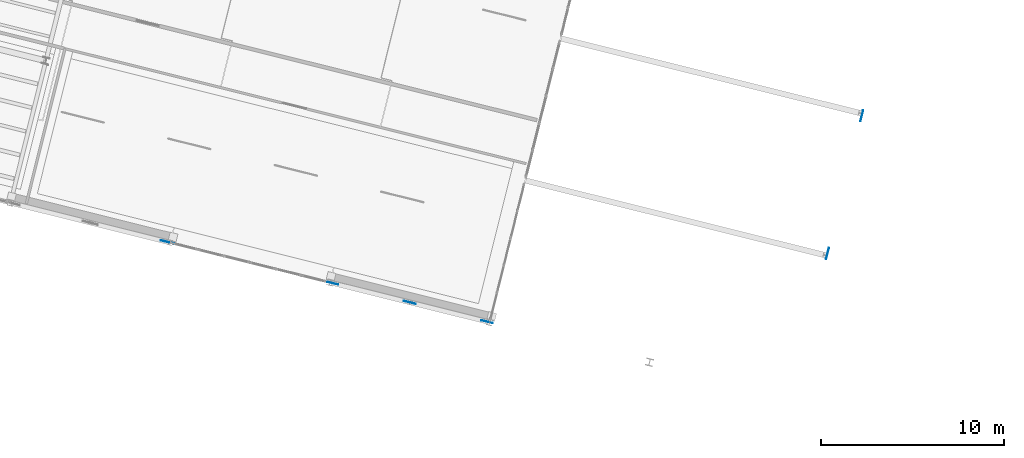
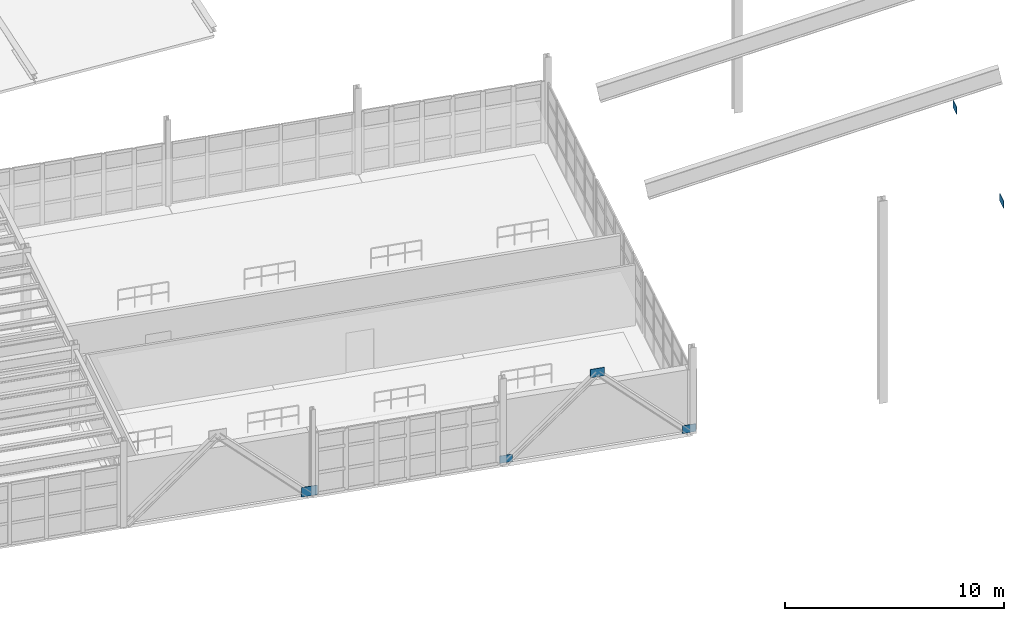
# One storey, part 42 of 59: 6 plates.
"""IFC4 building model written with IfcOpenShell, lengths in metres."""

from ifc_helpers import new_model, si_unit, direction, frame, origin, origin_2d, place, context, subcontext, project, spatial, rectangle, extrude, material, layer, layer_set, type_object, element, save


model = new_model("IFC4")

# Units and contexts
model_context = context("Model", 3, precision=1e-05, world=origin(), true_north=direction((0.0, 1.0)))
body_context = subcontext(model_context, "Body", "Model", "MODEL_VIEW")
ifc_project = project(units=[si_unit("LENGTHUNIT", "METRE"), si_unit("AREAUNIT", "SQUARE_METRE"), si_unit("VOLUMEUNIT", "CUBIC_METRE"), si_unit("PLANEANGLEUNIT", "RADIAN"), si_unit("MASSUNIT", "GRAM", prefix="KILO")], contexts=[model_context])

# Site, building, storey
site_placement = place(None, origin())
site = spatial("IfcSite", under=ifc_project, at=site_placement, CompositionType="ELEMENT")
building_placement = place(site_placement, origin())
building = spatial("IfcBuilding", under=site, at=building_placement, Name="Vireo Bluff Cable Station", CompositionType="ELEMENT")
storey_placement = place(building_placement, frame((0.0, 0.0, 14.39990234375)))
storey = spatial("IfcBuildingStorey", under=building, at=storey_placement, Name="L03", CompositionType="ELEMENT", Elevation=14.39990234375)

# Plates
ifc_material = material(Name="Steel ASTM A572 Gr. 50", Category="steel")
ifc_layer_1 = layer(ifc_material, 0.02490234375, Name="Steel ASTM A572 Gr. 50")
ifc_layer_set_1 = layer_set([ifc_layer_1], Name="Steel ASTM A572 Gr. 50")
plate_type_1 = type_object("IfcPlateType", Name="GUSSET-600X410X25", PredefinedType="USERDEFINED", material=ifc_layer_set_1)
plate_1_placement = place(storey_placement, frame((97.818603515625, 27.07470703125, 0.01513671875), z_axis=(0.0, 0.0, 1.0), x_axis=(0.970295726276, -0.2419218956, 0.0)))
element("IfcPlate", 1, at=plate_1_placement, inside=storey, type_object=plate_type_1, Name="V1 L03 brace base gusset plate 54", ObjectType="GUSSET PLATE", PredefinedType="USERDEFINED", context=body_context, shape_type="SweptSolid", body=[
    extrude(rectangle(XDim=0.60009765625, YDim=0.02490234375, at=origin_2d()), origin(), (0.0, 0.0, 1.0), 0.409912109375),
])
ifc_layer_2 = layer(ifc_material, 0.02490234375, Name="Steel ASTM A572 Gr. 50")
ifc_layer_set_2 = layer_set([ifc_layer_2], Name="Steel ASTM A572 Gr. 50")
plate_type_2 = type_object("IfcPlateType", Name="GUSSET-620X420X25", PredefinedType="USERDEFINED", material=ifc_layer_set_2)
for number, where, z_axis, x_axis, name in (
    (2, (124.85546875, 28.702392578125, 3.89013671875), (0.0, 0.0, 1.0), (0.970295726276, -0.2419218956, 0.0), "Launch pylon brace end gusset 3"),
    (3, (126.732666015625, 36.23193359375, 3.89013671875), (0.0, 0.0, 1.0), (0.970295726276, -0.2419218956, 0.0), "Launch pylon brace end gusset 4"),
):
    element("IfcPlate", number, at=place(storey_placement, frame(where, z_axis=z_axis, x_axis=x_axis)), inside=storey, type_object=plate_type_2, Name=name, ObjectType="GUSSET PLATE", PredefinedType="USERDEFINED", context=body_context, shape_type="SweptSolid", body=[
        extrude(rectangle(XDim=0.02490234375, YDim=0.6201171875, at=origin_2d()), origin(), (0.0, 0.0, 1.0), 0.419921875),
    ])
ifc_layer_3 = layer(ifc_material, 0.027099609375, Name="Steel ASTM A572 Gr. 50")
ifc_layer_set_3 = layer_set([ifc_layer_3], Name="Steel ASTM A572 Gr. 50")
plate_type_3 = type_object("IfcPlateType", Name="GUSSET-640X430X27", PredefinedType="USERDEFINED", material=ifc_layer_set_3)
plate_2_placement = place(storey_placement, frame((106.24072265625, 24.974853515625, 0.00537109375), z_axis=(0.0, 0.0, 1.0), x_axis=(0.970295726276, -0.2419218956, 0.0)))
element("IfcPlate", 4, at=plate_2_placement, inside=storey, type_object=plate_type_3, Name="V1 L03 brace base gusset plate 55", ObjectType="GUSSET PLATE", PredefinedType="USERDEFINED", context=body_context, shape_type="SweptSolid", body=[
    extrude(rectangle(XDim=0.639892578125, YDim=0.027099609375, at=origin_2d()), origin(), (0.0, 0.0, 1.0), 0.429931640625),
])
ifc_layer_4 = layer(ifc_material, 0.029052734375, Name="Steel ASTM A572 Gr. 50")
ifc_layer_set_4 = layer_set([ifc_layer_4], Name="Steel ASTM A572 Gr. 50")
plate_type_4 = type_object("IfcPlateType", Name="GUSSET-680X460X29", PredefinedType="USERDEFINED", material=ifc_layer_set_4)
plate_3_placement = place(storey_placement, frame((102.029541015625, 26.02490234375, 3.9501953125), z_axis=(0.0, 0.0, 1.0), x_axis=(0.970295726276, -0.2419218956, 0.0)))
element("IfcPlate", 5, at=plate_3_placement, inside=storey, type_object=plate_type_4, Name="V1 L03 chevron gusset plate 56", ObjectType="GUSSET PLATE", PredefinedType="USERDEFINED", context=body_context, shape_type="SweptSolid", body=[
    extrude(rectangle(XDim=0.679931640625, YDim=0.029052734375, at=origin_2d()), origin(), (0.0, 0.0, 1.0), 0.4599609375),
])
ifc_layer_5 = layer(ifc_material, 0.032958984375, Name="Steel ASTM A572 Gr. 50")
ifc_layer_set_5 = layer_set([ifc_layer_5], Name="Steel ASTM A572 Gr. 50")
plate_type_5 = type_object("IfcPlateType", Name="GUSSET-760X530X33", PredefinedType="USERDEFINED", material=ifc_layer_set_5)
plate_4_placement = place(storey_placement, frame((88.775390625, 29.32958984375, -0.044921875), z_axis=(0.0, 0.0, 1.0), x_axis=(0.970295726276, -0.2419218956, 0.0)))
element("IfcPlate", 6, at=plate_4_placement, inside=storey, type_object=plate_type_5, Name="V1 L03 brace base gusset plate 58", ObjectType="GUSSET PLATE", PredefinedType="USERDEFINED", context=body_context, shape_type="SweptSolid", body=[
    extrude(rectangle(XDim=0.760009765625, YDim=0.032958984375, at=origin_2d()), origin(), (0.0, 0.0, 1.0), 0.530029296875),
])

save(model, "model.ifc")
